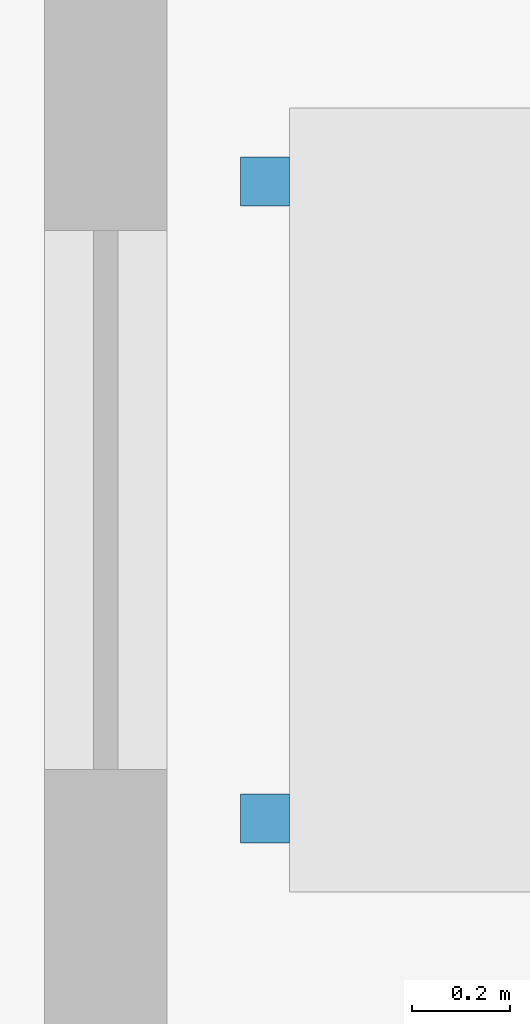
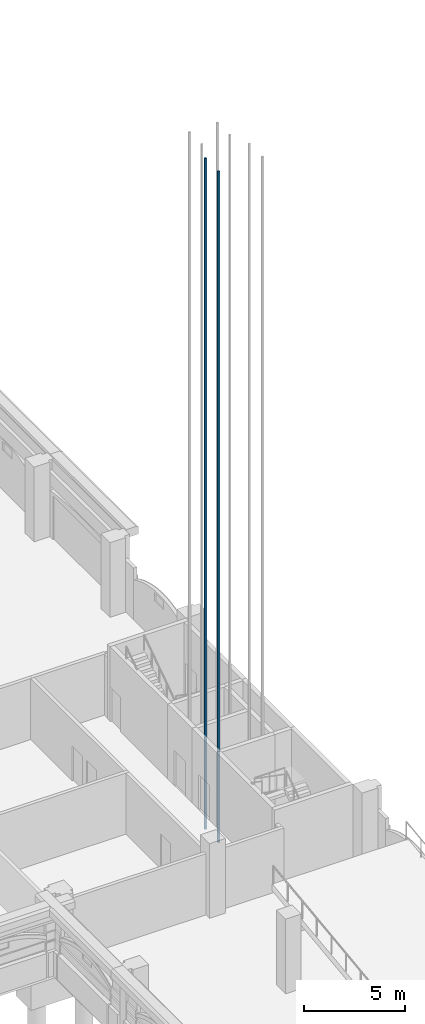
# One storey, part 53 of 99: 2 discrete accessories.
"""IFC4 building model written with IfcOpenShell, lengths in metres."""

from ifc_helpers import new_model, si_unit, direction, frame, origin, origin_2d, place, context, subcontext, project, spatial, rectangle, extrude, material, type_object, element, save


model = new_model("IFC4")

# Units and contexts
model_context = context("Model", 3, precision=1e-05, world=origin(), true_north=direction((0.0, 1.0)))
body_context = subcontext(model_context, "Body", "Model", "MODEL_VIEW")
ifc_project = project(units=[si_unit("LENGTHUNIT", "METRE"), si_unit("AREAUNIT", "SQUARE_METRE"), si_unit("VOLUMEUNIT", "CUBIC_METRE"), si_unit("PLANEANGLEUNIT", "RADIAN"), si_unit("MASSUNIT", "GRAM", prefix="KILO")], contexts=[model_context])

# Site, building, storey
site_placement = place(None, origin())
site = spatial("IfcSite", under=ifc_project, at=site_placement, CompositionType="ELEMENT")
building_placement = place(site_placement, origin())
building = spatial("IfcBuilding", under=site, at=building_placement, Name="Cour d'Honneur Mobility Palace", CompositionType="ELEMENT")
storey_placement = place(building_placement, origin())
storey = spatial("IfcBuildingStorey", under=building, at=storey_placement, Name="L00", CompositionType="ELEMENT", Elevation=0.0)

# Discrete accessories
ifc_material = material(Name="Steel S355", Category="steel")
discrete_accessory_type = type_object("IfcDiscreteAccessoryType", Name="Lift guide rail", PredefinedType="USERDEFINED", material=ifc_material)
for number, where, z_axis, x_axis, name in (
    (1, (157.824951171875, 51.75, -1.39990234375), (0.0, 0.0, 1.0), (1.0, 0.0, 0.0), "Guide rail LF-CE1"),
    (2, (157.824951171875, 53.050048828125, -1.39990234375), (0.0, 0.0, 1.0), (1.0, 0.0, 0.0), "Guide rail LF-CE1"),
):
    element("IfcDiscreteAccessory", number, at=place(storey_placement, frame(where, z_axis=z_axis, x_axis=x_axis)), inside=storey, type_object=discrete_accessory_type, Name=name, ObjectType="GUIDE RAIL", PredefinedType="USERDEFINED", context=body_context, shape_type="SweptSolid", body=[
        extrude(rectangle(XDim=0.10009765625, YDim=0.10009765625, at=origin_2d()), origin(), (0.0, 0.0, 1.0), 40.449951171875),
    ])

save(model, "model.ifc")
